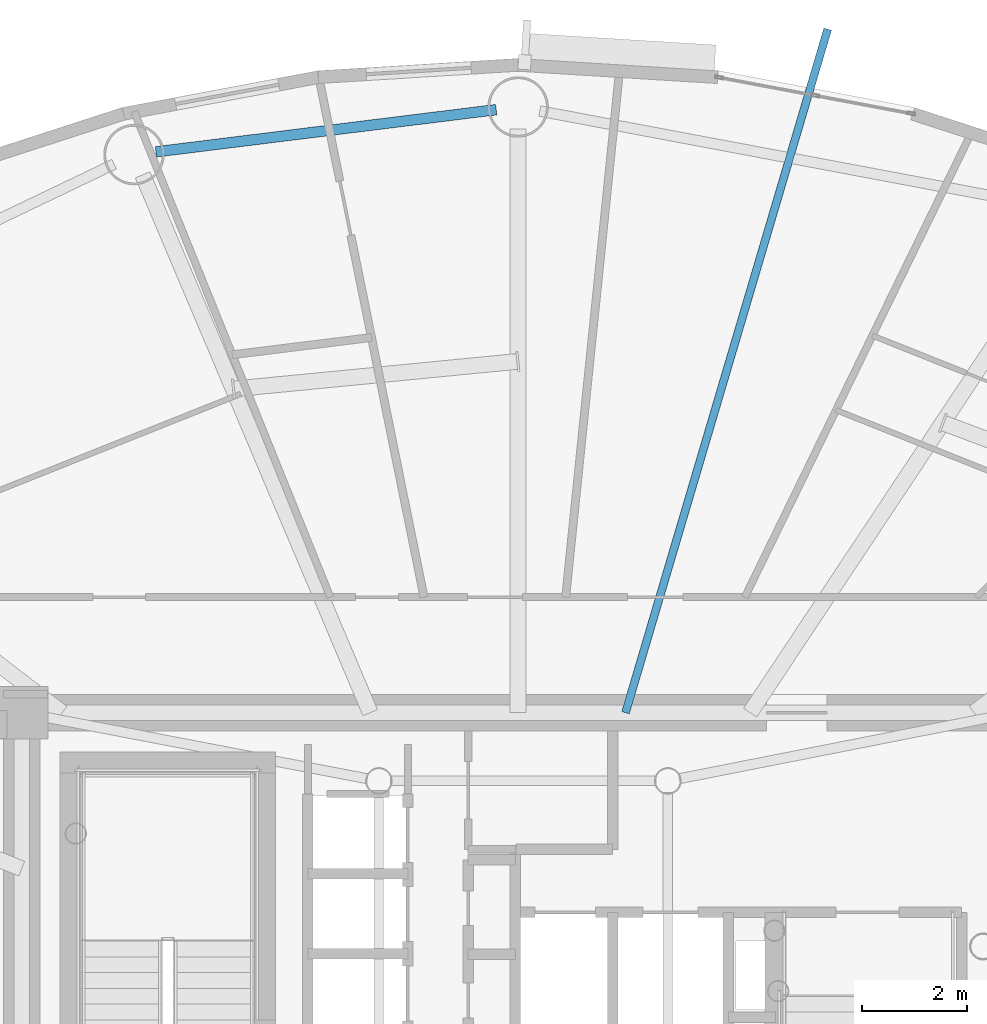
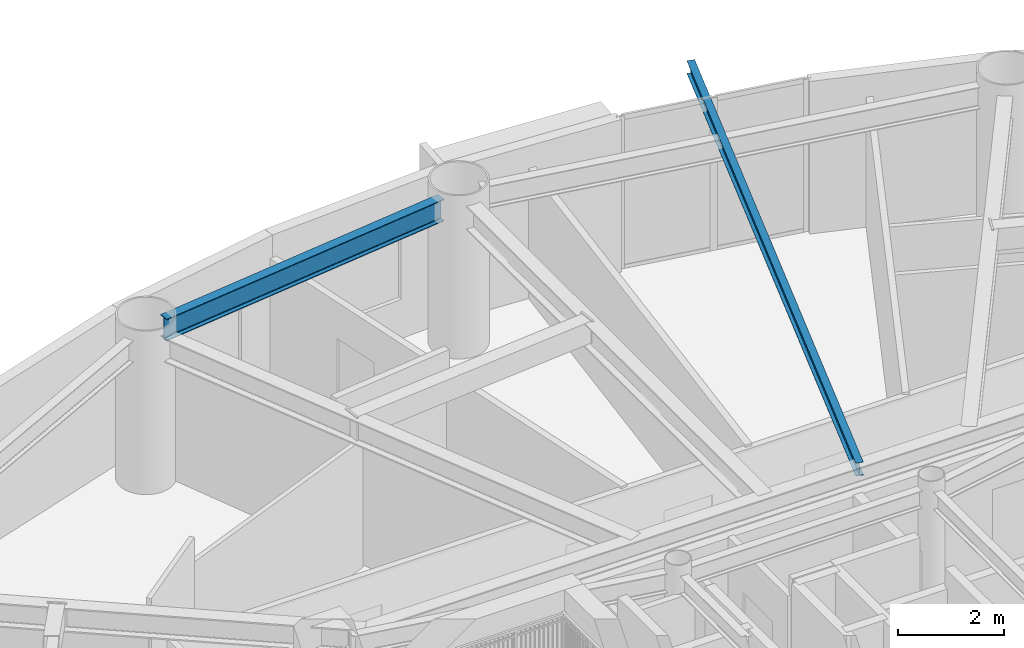
# One storey, part 4 of 21: 2 beams.
"""IFC4 building model written with IfcOpenShell, lengths in metres."""

from ifc_helpers import new_model, si_unit, direction, frame, origin, origin_2d, place, context, subcontext, project, spatial, i_section, extrude, material, material_profile, profile_set, type_object, element, save


model = new_model("IFC4")

# Units and contexts
model_context = context("Model", 3, precision=1e-05, world=origin(), true_north=direction((0.0, 1.0)))
body_context = subcontext(model_context, "Body", "Model", "MODEL_VIEW")
ifc_project = project(units=[si_unit("LENGTHUNIT", "METRE"), si_unit("AREAUNIT", "SQUARE_METRE"), si_unit("VOLUMEUNIT", "CUBIC_METRE"), si_unit("PLANEANGLEUNIT", "RADIAN"), si_unit("MASSUNIT", "GRAM", prefix="KILO")], contexts=[model_context])

# Site, building, storey
site_placement = place(None, origin())
site = spatial("IfcSite", under=ifc_project, at=site_placement, CompositionType="ELEMENT")
building_placement = place(site_placement, origin())
building = spatial("IfcBuilding", under=site, at=building_placement, Name="Linh Dai School and Residence Tower", CompositionType="ELEMENT")
storey_placement = place(building_placement, frame((0.0, 0.0, 229.050048828125)))
storey = spatial("IfcBuildingStorey", under=building, at=storey_placement, Name="L56", CompositionType="ELEMENT", Elevation=229.050048828125)

# Beams
ifc_material = material(Name="Structural Steel S355JR", Category="steel")
ifc_material_profile_1 = material_profile(ifc_material, i_section(OverallWidth=0.14990234375, OverallDepth=0.300048828125, WebThickness=0.007080078125, FlangeThickness=0.0107421875, at=origin_2d()), Name="IPE 300")
ifc_profile_set_1 = profile_set([ifc_material_profile_1], Name="Structural Steel S355JR")
beam_type_1 = type_object("IfcBeamType", Name="BM-BALC-CANT", PredefinedType="BEAM", material=ifc_profile_set_1)
beam_1_placement = place(storey_placement, frame((38.044189453125, 33.64990234375, 3.349853515625), z_axis=(0.283664332065, 0.958923639668, 0.0), x_axis=(-0.958923639668, 0.283664332065, 0.0)))
element("IfcBeam", 1, at=beam_1_placement, inside=storey, type_object=beam_type_1, Name="L57 Balcony Continuous Cantilever Beam 09", PredefinedType="BEAM", context=body_context, shape_type="SweptSolid", body=[
    extrude(i_section(OverallWidth=0.14990234375, OverallDepth=0.300048828125, WebThickness=0.007080078125, FlangeThickness=0.0107421875, at=origin_2d()), origin(), (0.0, 0.0, 1.0), 13.567626953125),
])
ifc_material_profile_2 = material_profile(ifc_material, i_section(OverallWidth=0.199951171875, OverallDepth=0.5, WebThickness=0.01025390625, FlangeThickness=0.01611328125, FilletRadius=0.02099609375, at=origin_2d()), Name="IPE 500")
ifc_profile_set_2 = profile_set([ifc_material_profile_2], Name="Structural Steel S355JR")
beam_type_2 = type_object("IfcBeamType", Name="BM-RB50", PredefinedType="BEAM", material=ifc_profile_set_2)
beam_2_placement = place(storey_placement, frame((35.583251953125, 45.12841796875, 3.25), z_axis=(-0.992401656104, -0.123040452539, 0.0), x_axis=(0.123040452539, -0.992401656104, 0.0)))
element("IfcBeam", 2, at=beam_2_placement, inside=storey, type_object=beam_type_2, Name="L56 Perimeter Elliptical Ring Beam 05", PredefinedType="BEAM", context=body_context, shape_type="SweptSolid", body=[
    extrude(i_section(OverallWidth=0.199951171875, OverallDepth=0.5, WebThickness=0.01025390625, FlangeThickness=0.01611328125, FilletRadius=0.02099609375, at=origin_2d()), origin(), (0.0, 0.0, 1.0), 6.528076171875),
])

save(model, "model.ifc")
